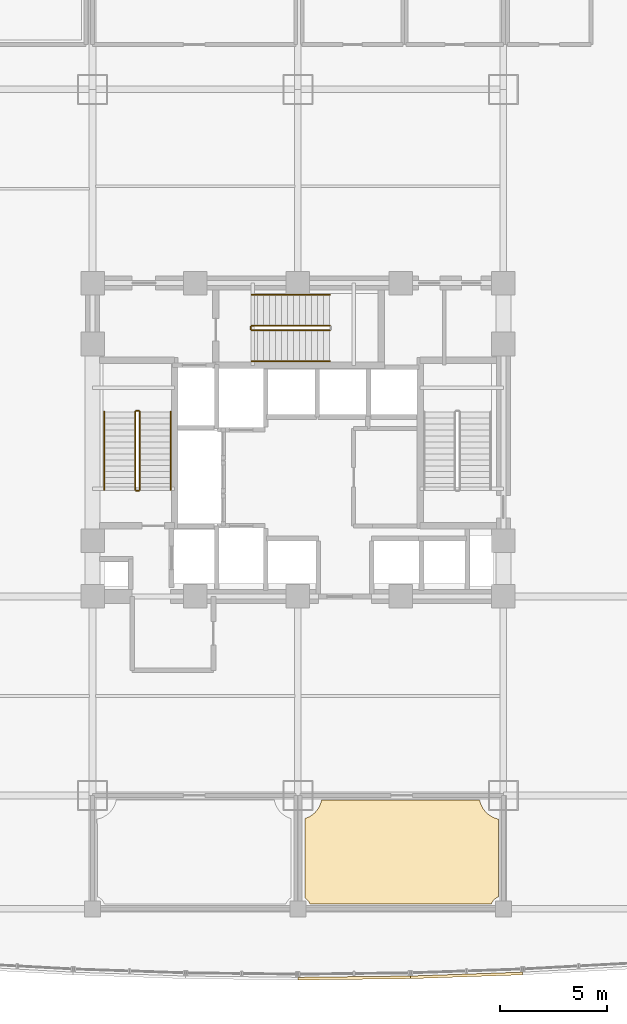
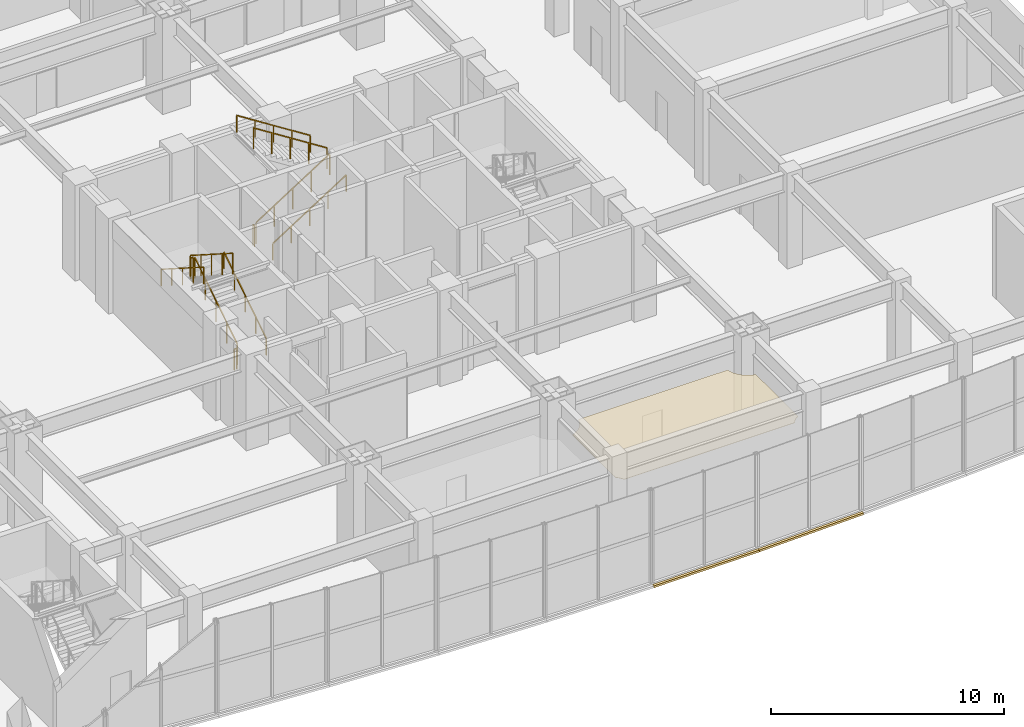
# One storey, part 18 of 24: 11 railings, 3 coverings.
"""IFC4 building model written with IfcOpenShell, lengths in metres."""

from ifc_helpers import new_model, si_unit, direction, frame, origin, origin_2d, place, context, subcontext, project, spatial, polyline, rectangle, outline, extrude, material, layer, layer_set, type_object, element, save


model = new_model("IFC4")

# Units and contexts
model_context = context("Model", 3, precision=1e-05, world=origin(), true_north=direction((0.0, 1.0)))
body_context = subcontext(model_context, "Body", "Model", "MODEL_VIEW")
ifc_project = project(units=[si_unit("LENGTHUNIT", "METRE"), si_unit("AREAUNIT", "SQUARE_METRE"), si_unit("VOLUMEUNIT", "CUBIC_METRE"), si_unit("PLANEANGLEUNIT", "RADIAN"), si_unit("MASSUNIT", "GRAM", prefix="KILO")], contexts=[model_context])

# Site, building, storey
site_placement = place(None, origin())
site = spatial("IfcSite", under=ifc_project, at=site_placement, CompositionType="ELEMENT")
building_placement = place(site_placement, origin())
building = spatial("IfcBuilding", under=site, at=building_placement, Name="Vantalir Tower", CompositionType="ELEMENT")
storey_placement = place(building_placement, frame((0.0, 0.0, 11.0)))
storey = spatial("IfcBuildingStorey", under=building, at=storey_placement, Name="L02", CompositionType="ELEMENT", Elevation=11.0)

# Coverings
ifc_material_1 = material(Name="Perforated acoustic gypsum ceiling board", Category="gypsum")
ifc_layer_1 = layer(ifc_material_1, 0.02001953125)
ifc_layer_set_1 = layer_set([ifc_layer_1], Name="Perforated acoustic gypsum ceiling board")
covering_type_1 = type_object("IfcCoveringType", Name="COV-ACOUSTIC-CEIL-20", PredefinedType="CEILING", material=ifc_layer_set_1)
covering_1_placement = place(storey_placement, frame((0.0, 0.0, 3.1298828125)))
element("IfcCovering", 1, at=covering_1_placement, inside=storey, type_object=covering_type_1, Name="Level 02 Executive Boardroom 2 Suspended Ceiling", PredefinedType="CEILING", context=body_context, shape_type="SweptSolid", body=[
    extrude(outline(polyline([(40.8798828125, 7.39404296875), (40.77294921875, 7.4208984375), (40.66796875, 7.4580078125), (40.568115234375, 7.5048828125), (40.472900390625, 7.56201171875), (40.384033203125, 7.6279296875), (40.302001953125, 7.701904296875), (40.22802734375, 7.783935546875), (40.162109375, 7.873046875), (40.10498046875, 7.968017578125), (40.05810546875, 8.068115234375), (40.02099609375, 8.173095703125), (39.993896484375, 8.280029296875), (32.60595703125, 8.280029296875), (32.5791015625, 8.173095703125), (32.5419921875, 8.068115234375), (32.4951171875, 7.968017578125), (32.43798828125, 7.873046875), (32.3720703125, 7.783935546875), (32.298095703125, 7.701904296875), (32.216064453125, 7.6279296875), (32.126953125, 7.56201171875), (32.031982421875, 7.5048828125), (31.931884765625, 7.4580078125), (31.820068359375, 7.4189453125), (31.820068359375, 3.716064453125), (31.837890625, 3.7060546875), (31.885986328125, 3.669921875), (31.929931640625, 3.6298828125), (31.969970703125, 3.5859375), (32.006103515625, 3.5380859375), (32.035888671875, 3.487060546875), (32.06591796875, 3.419921875), (40.5380859375, 3.43310546875), (40.56396484375, 3.487060546875), (40.593994140625, 3.5380859375), (40.6298828125, 3.5859375), (40.669921875, 3.6298828125), (40.714111328125, 3.669921875), (40.761962890625, 3.7060546875), (40.81298828125, 3.736083984375), (40.8798828125, 3.76611328125), (40.8798828125, 7.39404296875)])), origin(), (0.0, 0.0, 1.0), 0.02001953125),
])
ifc_material_2 = material(Name="Anodised champagne aluminium sill fascia", Category="aluminium")
ifc_layer_2 = layer(ifc_material_2, 0.125)
ifc_layer_set_2 = layer_set([ifc_layer_2], Name="Anodised champagne aluminium sill fascia")
covering_type_2 = type_object("IfcCoveringType", Name="COV-SLAB-FASCIA-125", PredefinedType="CLADDING", material=ifc_layer_set_2)
covering_2_placement = place(storey_placement, frame((0.0, 0.0, -0.179931640625)))
element("IfcCovering", 2, at=covering_2_placement, inside=storey, type_object=covering_type_2, Name="Level 02 South Prow Slab-Edge Fascia 07", PredefinedType="CLADDING", context=body_context, shape_type="SweptSolid", body=[
    extrude(outline(polyline([(31.5, 0.0), (31.5009765625, -0.125), (36.7509765625, -0.06396484375), (36.75, 0.06103515625), (31.5, 0.0)])), origin(), (0.0, 0.0, 1.0), 0.10498046875),
])
covering_3_placement = place(storey_placement, frame((0.0, 0.0, -0.179931640625)))
element("IfcCovering", 3, at=covering_3_placement, inside=storey, type_object=covering_type_2, Name="Level 02 South Prow Slab-Edge Fascia 08", PredefinedType="CLADDING", context=body_context, shape_type="SweptSolid", body=[
    extrude(outline(polyline([(36.75, 0.06103515625), (36.75390625, -0.06396484375), (42.00390625, 0.115966796875), (42.0, 0.240966796875), (36.75, 0.06103515625)])), origin(), (0.0, 0.0, 1.0), 0.10498046875),
])

# Railings
ifc_material_3 = material(Name="Anodised aluminium and stainless steel guard", Category="steel")
railing_type_1 = type_object("IfcRailingType", Name="RAL-GUARD-1120", PredefinedType="GUARDRAIL", material=ifc_material_3)
railing_1_placement = place(storey_placement, frame((24.110107421875, 22.7900390625, 0.178466796875)))
element("IfcRailing", 4, at=railing_1_placement, inside=storey, type_object=railing_type_1, Name="Level 02 ST1 stair guard 1", PredefinedType="GUARDRAIL", context=body_context, shape_type="SweptSolid", body=[
    extrude(rectangle(XDim=0.048095703125, YDim=0.048095703125, at=origin_2d()), frame((0.0, 0.0, 1.09619140625), z_axis=(0.0, 0.843111507901, 0.53773877045), x_axis=(-1.0, 0.0, 0.0)), (0.0, 0.0, 1.0), 4.317138671875),
    extrude(rectangle(XDim=0.0419921875, YDim=0.0419921875, at=origin_2d()), origin(), (0.0, 0.0, 1.0), 1.072021484375),
    extrude(rectangle(XDim=0.0419921875, YDim=0.0419921875, at=origin_2d()), frame((0.0, 0.909912109375, 0.580322265625)), (0.0, 0.0, 1.0), 1.072021484375),
    extrude(rectangle(XDim=0.0419921875, YDim=0.0419921875, at=origin_2d()), frame((0.0, 1.81982421875, 1.16064453125)), (0.0, 0.0, 1.0), 1.072021484375),
    extrude(rectangle(XDim=0.0419921875, YDim=0.0419921875, at=origin_2d()), frame((0.0, 2.72998046875, 1.7412109375)), (0.0, 0.0, 1.0), 1.072021484375),
    extrude(rectangle(XDim=0.0419921875, YDim=0.0419921875, at=origin_2d()), frame((0.0, 3.639892578125, 2.321533203125)), (0.0, 0.0, 1.0), 1.072021484375),
])
railing_2_placement = place(storey_placement, frame((24.06005859375, 26.47998046875, 2.5)))
element("IfcRailing", 5, at=railing_2_placement, inside=storey, type_object=railing_type_1, Name="Level 02 ST1 stair guard 2", PredefinedType="GUARDRAIL", context=body_context, shape_type="SweptSolid", body=[
    extrude(rectangle(XDim=0.048095703125, YDim=0.048095703125, at=origin_2d()), frame((0.0, 0.0, 1.09619140625), z_axis=(-1.0, 0.0, 0.0), x_axis=(0.0, -1.0, 0.0)), (0.0, 0.0, 1.0), 0.1201171875),
    extrude(rectangle(XDim=0.0419921875, YDim=0.0419921875, at=origin_2d()), origin(), (0.0, 0.0, 1.0), 1.072021484375),
    extrude(rectangle(XDim=0.0419921875, YDim=0.0419921875, at=origin_2d()), frame((-0.1201171875, 0.0, 0.0)), (0.0, 0.0, 1.0), 1.072021484375),
])
railing_3_placement = place(storey_placement, frame((23.889892578125, 26.429931640625, 2.678466796875)))
element("IfcRailing", 6, at=railing_3_placement, inside=storey, type_object=railing_type_1, Name="Level 02 ST1 stair guard 3", PredefinedType="GUARDRAIL", context=body_context, shape_type="SweptSolid", body=[
    extrude(rectangle(XDim=0.048095703125, YDim=0.048095703125, at=origin_2d()), frame((0.0, 0.0, 1.09619140625), z_axis=(0.0, -0.843111507901, 0.53773877045), x_axis=(1.0, 0.0, 0.0)), (0.0, 0.0, 1.0), 4.317138671875),
    extrude(rectangle(XDim=0.0419921875, YDim=0.0419921875, at=origin_2d()), origin(), (0.0, 0.0, 1.0), 1.072021484375),
    extrude(rectangle(XDim=0.0419921875, YDim=0.0419921875, at=origin_2d()), frame((0.0, -0.909912109375, 0.580322265625)), (0.0, 0.0, 1.0), 1.072021484375),
    extrude(rectangle(XDim=0.0419921875, YDim=0.0419921875, at=origin_2d()), frame((0.0, -1.81982421875, 1.16064453125)), (0.0, 0.0, 1.0), 1.072021484375),
    extrude(rectangle(XDim=0.0419921875, YDim=0.0419921875, at=origin_2d()), frame((0.0, -2.72998046875, 1.7412109375)), (0.0, 0.0, 1.0), 1.072021484375),
    extrude(rectangle(XDim=0.0419921875, YDim=0.0419921875, at=origin_2d()), frame((0.0, -3.639892578125, 2.321533203125)), (0.0, 0.0, 1.0), 1.072021484375),
])
railing_4_placement = place(storey_placement, frame((24.06005859375, 22.739990234375, 0.0)))
element("IfcRailing", 7, at=railing_4_placement, inside=storey, type_object=railing_type_1, Name="Level 02 ST1 stair guard 4", PredefinedType="GUARDRAIL", context=body_context, shape_type="SweptSolid", body=[
    extrude(rectangle(XDim=0.048095703125, YDim=0.048095703125, at=origin_2d()), frame((0.0, 0.0, 1.09619140625), z_axis=(-1.0, 0.0, 0.0), x_axis=(0.0, -1.0, 0.0)), (0.0, 0.0, 1.0), 0.1201171875),
    extrude(rectangle(XDim=0.0419921875, YDim=0.0419921875, at=origin_2d()), origin(), (0.0, 0.0, 1.0), 1.072021484375),
    extrude(rectangle(XDim=0.0419921875, YDim=0.0419921875, at=origin_2d()), frame((-0.1201171875, 0.0, 0.0)), (0.0, 0.0, 1.0), 1.072021484375),
])
railing_5_placement = place(storey_placement, frame((29.340087890625, 30.239990234375, 0.178466796875)))
element("IfcRailing", 8, at=railing_5_placement, inside=storey, type_object=railing_type_1, Name="Level 02 ST3 stair guard 1", PredefinedType="GUARDRAIL", context=body_context, shape_type="SweptSolid", body=[
    extrude(rectangle(XDim=0.048095703125, YDim=0.048095703125, at=origin_2d()), frame((0.0, 0.0, 1.09619140625), z_axis=(0.843111507901, 0.0, 0.53773877045), x_axis=(0.0, 1.0, 0.0)), (0.0, 0.0, 1.0), 4.317138671875),
    extrude(rectangle(XDim=0.0419921875, YDim=0.0419921875, at=origin_2d()), origin(), (0.0, 0.0, 1.0), 1.072021484375),
    extrude(rectangle(XDim=0.0419921875, YDim=0.0419921875, at=origin_2d()), frame((0.909912109375, 0.0, 0.580322265625)), (0.0, 0.0, 1.0), 1.072021484375),
    extrude(rectangle(XDim=0.0419921875, YDim=0.0419921875, at=origin_2d()), frame((1.81982421875, 0.0, 1.16064453125)), (0.0, 0.0, 1.0), 1.072021484375),
    extrude(rectangle(XDim=0.0419921875, YDim=0.0419921875, at=origin_2d()), frame((2.72998046875, 0.0, 1.7412109375)), (0.0, 0.0, 1.0), 1.072021484375),
    extrude(rectangle(XDim=0.0419921875, YDim=0.0419921875, at=origin_2d()), frame((3.639892578125, 0.0, 2.321533203125)), (0.0, 0.0, 1.0), 1.072021484375),
])
railing_6_placement = place(storey_placement, frame((32.97998046875, 30.4599609375, 2.678466796875)))
element("IfcRailing", 9, at=railing_6_placement, inside=storey, type_object=railing_type_1, Name="Level 02 ST3 stair guard 3", PredefinedType="GUARDRAIL", context=body_context, shape_type="SweptSolid", body=[
    extrude(rectangle(XDim=0.048095703125, YDim=0.048095703125, at=origin_2d()), frame((0.0, 0.0, 1.09619140625), z_axis=(-0.843111507901, 0.0, 0.53773877045), x_axis=(0.0, -1.0, 0.0)), (0.0, 0.0, 1.0), 4.317138671875),
    extrude(rectangle(XDim=0.0419921875, YDim=0.0419921875, at=origin_2d()), origin(), (0.0, 0.0, 1.0), 1.072021484375),
    extrude(rectangle(XDim=0.0419921875, YDim=0.0419921875, at=origin_2d()), frame((-0.909912109375, 0.0, 0.580322265625)), (0.0, 0.0, 1.0), 1.072021484375),
    extrude(rectangle(XDim=0.0419921875, YDim=0.0419921875, at=origin_2d()), frame((-1.81982421875, 0.0, 1.16064453125)), (0.0, 0.0, 1.0), 1.072021484375),
    extrude(rectangle(XDim=0.0419921875, YDim=0.0419921875, at=origin_2d()), frame((-2.72998046875, 0.0, 1.7412109375)), (0.0, 0.0, 1.0), 1.072021484375),
    extrude(rectangle(XDim=0.0419921875, YDim=0.0419921875, at=origin_2d()), frame((-3.639892578125, 0.0, 2.321533203125)), (0.0, 0.0, 1.0), 1.072021484375),
])
railing_7_placement = place(storey_placement, frame((29.2900390625, 30.2900390625, 0.0)))
element("IfcRailing", 10, at=railing_7_placement, inside=storey, type_object=railing_type_1, Name="Level 02 ST3 stair guard 4", PredefinedType="GUARDRAIL", context=body_context, shape_type="SweptSolid", body=[
    extrude(rectangle(XDim=0.048095703125, YDim=0.048095703125, at=origin_2d()), frame((0.0, 0.0, 1.09619140625), z_axis=(0.0, 1.0, 0.0), x_axis=(-1.0, 0.0, 0.0)), (0.0, 0.0, 1.0), 0.119873046875),
    extrude(rectangle(XDim=0.0419921875, YDim=0.0419921875, at=origin_2d()), origin(), (0.0, 0.0, 1.0), 1.072021484375),
    extrude(rectangle(XDim=0.0419921875, YDim=0.0419921875, at=origin_2d()), frame((0.0, 0.119873046875, 0.0)), (0.0, 0.0, 1.0), 1.072021484375),
])
ifc_material_4 = material(Name="Brushed stainless steel tubular handrail", Category="steel")
railing_type_2 = type_object("IfcRailingType", Name="RAL-HANDRAIL-900", PredefinedType="HANDRAIL", material=ifc_material_4)
railing_8_placement = place(storey_placement, frame((25.550048828125, 22.7900390625, 0.178466796875)))
element("IfcRailing", 11, at=railing_8_placement, inside=storey, type_object=railing_type_2, Name="Level 02 ST1 stair handrail 1", PredefinedType="HANDRAIL", context=body_context, shape_type="SweptSolid", body=[
    extrude(rectangle(XDim=0.048095703125, YDim=0.048095703125, at=origin_2d()), frame((0.0, 0.0, 0.8759765625), z_axis=(0.0, 0.843111507901, 0.53773877045), x_axis=(-1.0, 0.0, 0.0)), (0.0, 0.0, 1.0), 4.317138671875),
    extrude(rectangle(XDim=0.0419921875, YDim=0.0419921875, at=origin_2d()), origin(), (0.0, 0.0, 1.0), 0.851806640625),
    extrude(rectangle(XDim=0.0419921875, YDim=0.0419921875, at=origin_2d()), frame((0.0, 0.909912109375, 0.580322265625)), (0.0, 0.0, 1.0), 0.851806640625),
    extrude(rectangle(XDim=0.0419921875, YDim=0.0419921875, at=origin_2d()), frame((0.0, 1.81982421875, 1.16064453125)), (0.0, 0.0, 1.0), 0.851806640625),
    extrude(rectangle(XDim=0.0419921875, YDim=0.0419921875, at=origin_2d()), frame((0.0, 2.72998046875, 1.7412109375)), (0.0, 0.0, 1.0), 0.851806640625),
    extrude(rectangle(XDim=0.0419921875, YDim=0.0419921875, at=origin_2d()), frame((0.0, 3.639892578125, 2.321533203125)), (0.0, 0.0, 1.0), 0.851806640625),
])
railing_9_placement = place(storey_placement, frame((22.449951171875, 26.429931640625, 2.678466796875)))
element("IfcRailing", 12, at=railing_9_placement, inside=storey, type_object=railing_type_2, Name="Level 02 ST1 stair handrail 2", PredefinedType="HANDRAIL", context=body_context, shape_type="SweptSolid", body=[
    extrude(rectangle(XDim=0.048095703125, YDim=0.048095703125, at=origin_2d()), frame((0.0, 0.0, 0.8759765625), z_axis=(0.0, -0.843111507901, 0.53773877045), x_axis=(1.0, 0.0, 0.0)), (0.0, 0.0, 1.0), 4.317138671875),
    extrude(rectangle(XDim=0.0419921875, YDim=0.0419921875, at=origin_2d()), origin(), (0.0, 0.0, 1.0), 0.851806640625),
    extrude(rectangle(XDim=0.0419921875, YDim=0.0419921875, at=origin_2d()), frame((0.0, -0.909912109375, 0.580322265625)), (0.0, 0.0, 1.0), 0.851806640625),
    extrude(rectangle(XDim=0.0419921875, YDim=0.0419921875, at=origin_2d()), frame((0.0, -1.81982421875, 1.16064453125)), (0.0, 0.0, 1.0), 0.851806640625),
    extrude(rectangle(XDim=0.0419921875, YDim=0.0419921875, at=origin_2d()), frame((0.0, -2.72998046875, 1.7412109375)), (0.0, 0.0, 1.0), 0.851806640625),
    extrude(rectangle(XDim=0.0419921875, YDim=0.0419921875, at=origin_2d()), frame((0.0, -3.639892578125, 2.321533203125)), (0.0, 0.0, 1.0), 0.851806640625),
])
railing_10_placement = place(storey_placement, frame((29.340087890625, 28.800048828125, 0.178466796875)))
element("IfcRailing", 13, at=railing_10_placement, inside=storey, type_object=railing_type_2, Name="Level 02 ST3 stair handrail 1", PredefinedType="HANDRAIL", context=body_context, shape_type="SweptSolid", body=[
    extrude(rectangle(XDim=0.048095703125, YDim=0.048095703125, at=origin_2d()), frame((0.0, 0.0, 0.8759765625), z_axis=(0.843111507901, 0.0, 0.53773877045), x_axis=(0.0, 1.0, 0.0)), (0.0, 0.0, 1.0), 4.317138671875),
    extrude(rectangle(XDim=0.0419921875, YDim=0.0419921875, at=origin_2d()), origin(), (0.0, 0.0, 1.0), 0.851806640625),
    extrude(rectangle(XDim=0.0419921875, YDim=0.0419921875, at=origin_2d()), frame((0.909912109375, 0.0, 0.580322265625)), (0.0, 0.0, 1.0), 0.851806640625),
    extrude(rectangle(XDim=0.0419921875, YDim=0.0419921875, at=origin_2d()), frame((1.81982421875, 0.0, 1.16064453125)), (0.0, 0.0, 1.0), 0.851806640625),
    extrude(rectangle(XDim=0.0419921875, YDim=0.0419921875, at=origin_2d()), frame((2.72998046875, 0.0, 1.7412109375)), (0.0, 0.0, 1.0), 0.851806640625),
    extrude(rectangle(XDim=0.0419921875, YDim=0.0419921875, at=origin_2d()), frame((3.639892578125, 0.0, 2.321533203125)), (0.0, 0.0, 1.0), 0.851806640625),
])
railing_11_placement = place(storey_placement, frame((32.97998046875, 31.89990234375, 2.678466796875)))
element("IfcRailing", 14, at=railing_11_placement, inside=storey, type_object=railing_type_2, Name="Level 02 ST3 stair handrail 2", PredefinedType="HANDRAIL", context=body_context, shape_type="SweptSolid", body=[
    extrude(rectangle(XDim=0.048095703125, YDim=0.048095703125, at=origin_2d()), frame((0.0, 0.0, 0.8759765625), z_axis=(-0.843111507901, 0.0, 0.53773877045), x_axis=(0.0, -1.0, 0.0)), (0.0, 0.0, 1.0), 4.317138671875),
    extrude(rectangle(XDim=0.0419921875, YDim=0.0419921875, at=origin_2d()), origin(), (0.0, 0.0, 1.0), 0.851806640625),
    extrude(rectangle(XDim=0.0419921875, YDim=0.0419921875, at=origin_2d()), frame((-0.909912109375, 0.0, 0.580322265625)), (0.0, 0.0, 1.0), 0.851806640625),
    extrude(rectangle(XDim=0.0419921875, YDim=0.0419921875, at=origin_2d()), frame((-1.81982421875, 0.0, 1.16064453125)), (0.0, 0.0, 1.0), 0.851806640625),
    extrude(rectangle(XDim=0.0419921875, YDim=0.0419921875, at=origin_2d()), frame((-2.72998046875, 0.0, 1.7412109375)), (0.0, 0.0, 1.0), 0.851806640625),
    extrude(rectangle(XDim=0.0419921875, YDim=0.0419921875, at=origin_2d()), frame((-3.639892578125, 0.0, 2.321533203125)), (0.0, 0.0, 1.0), 0.851806640625),
])

save(model, "model.ifc")
